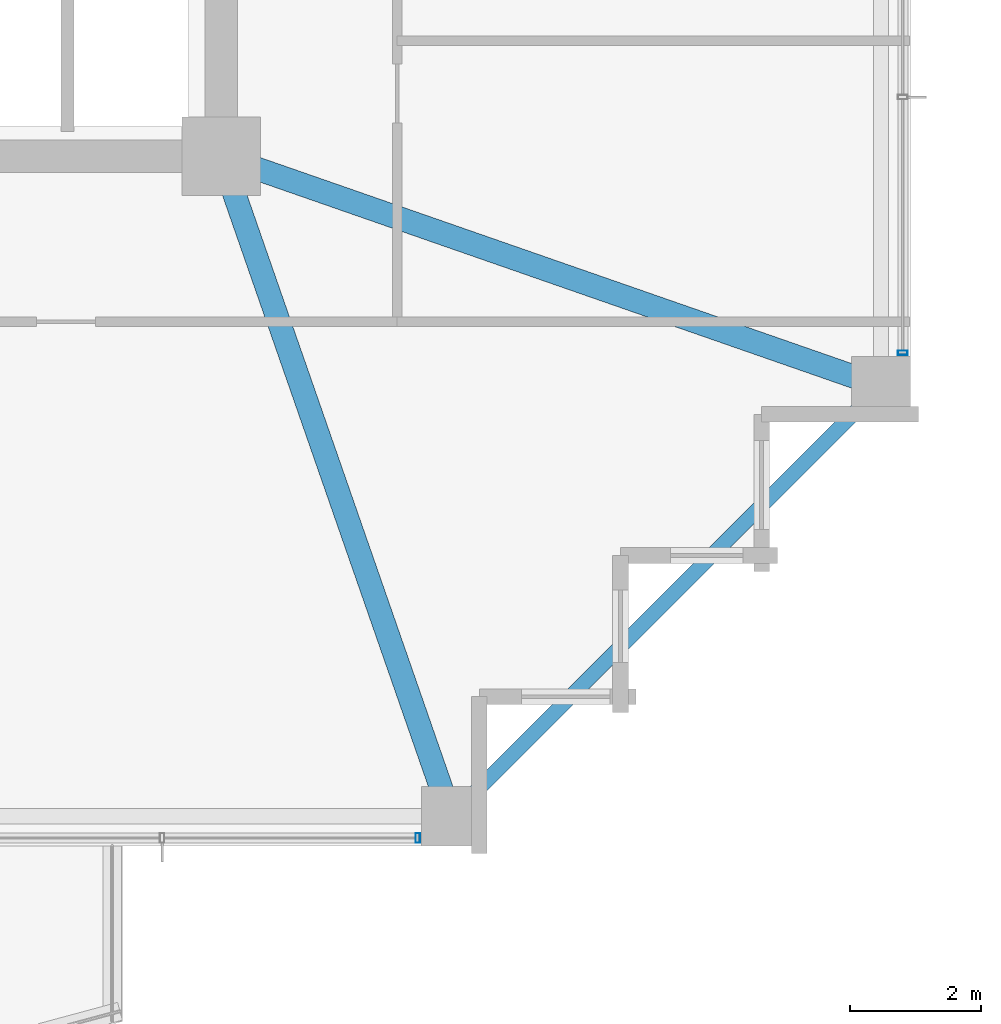
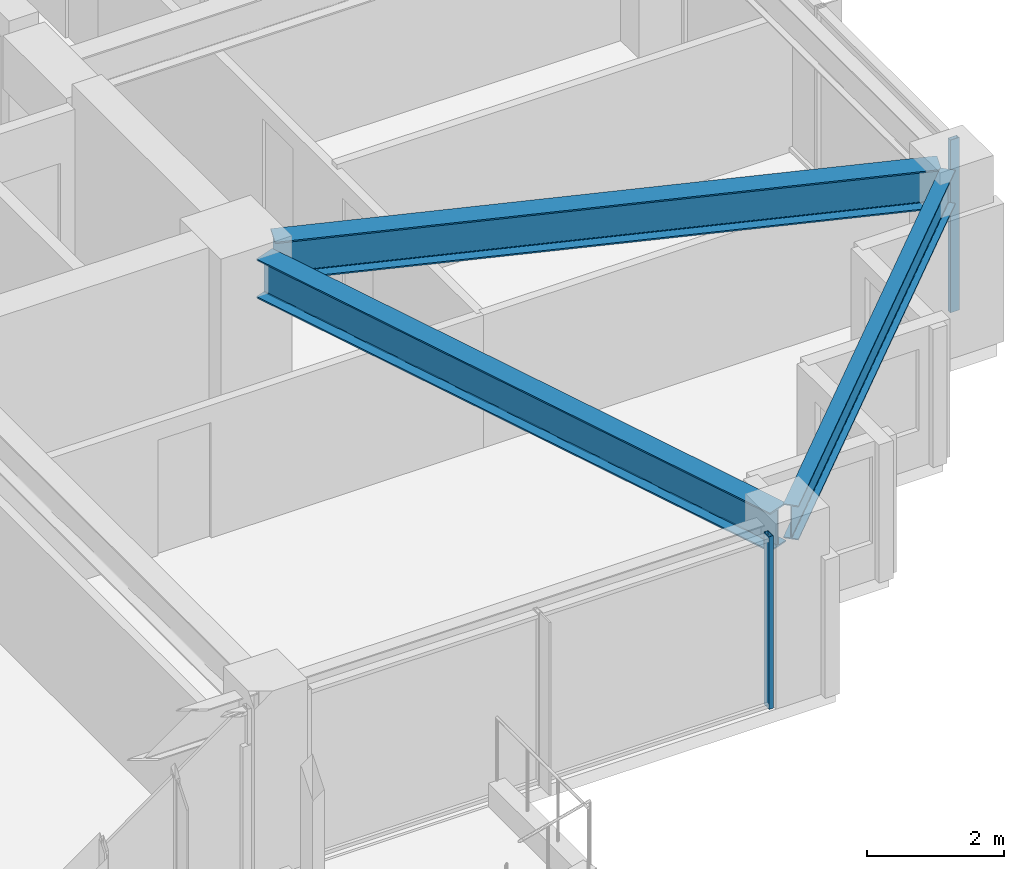
# One storey, part 12 of 37: 3 beams, 2 members, 2 elements without a shape of their own.
"""IFC4 building model written with IfcOpenShell, lengths in metres."""

from ifc_helpers import new_model, si_unit, direction, frame, origin, origin_2d, place, context, subcontext, project, spatial, hollow_rectangle, i_section, extrude, material, material_profile, profile_set, type_object, element, aggregate, save


model = new_model("IFC4")

# Units and contexts
model_context = context("Model", 3, precision=1e-05, world=origin(), true_north=direction((0.0, 1.0)))
body_context = subcontext(model_context, "Body", "Model", "MODEL_VIEW")
ifc_project = project(units=[si_unit("LENGTHUNIT", "METRE"), si_unit("AREAUNIT", "SQUARE_METRE"), si_unit("VOLUMEUNIT", "CUBIC_METRE"), si_unit("PLANEANGLEUNIT", "RADIAN"), si_unit("MASSUNIT", "GRAM", prefix="KILO")], contexts=[model_context])

# Site, building, storey
site_placement = place(None, origin())
site = spatial("IfcSite", under=ifc_project, at=site_placement, CompositionType="ELEMENT")
building_placement = place(site_placement, origin())
building = spatial("IfcBuilding", under=site, at=building_placement, Name="Kolvaren Belvedere", CompositionType="ELEMENT")
storey_placement = place(building_placement, frame((0.0, 0.0, 180.0)))
storey = spatial("IfcBuildingStorey", under=building, at=storey_placement, Name="L52", CompositionType="ELEMENT", Elevation=180.0)

# Beams
ifc_material_1 = material(Name="Structural steel ASTM A992 Grade 50", Category="steel")
ifc_material_profile_1 = material_profile(ifc_material_1, i_section(OverallWidth=0.35498046875, OverallDepth=0.696044921875, WebThickness=0.015380859375, FlangeThickness=0.02490234375, FilletRadius=0.02197265625, at=origin_2d()), Name="W27X146")
ifc_profile_set_1 = profile_set([ifc_material_profile_1], Name="Structural steel ASTM A992 Grade 50")
beam_type_1 = type_object("IfcBeamType", Name="BM-GIRD-W27X146", PredefinedType="BEAM", material=ifc_profile_set_1)
for number, where, z_axis, x_axis, name in (
    (1, (10.080810546875, -10.41943359375, 2.73193359375), (0.328894130701, -0.944366798861, 0.0), (0.944366798861, 0.328894130701, 0.0), "L52 Corner Core-to-Perimeter Girder CC2-S4"),
    (2, (10.41943359375, -10.080810546875, 2.73193359375), (0.944366798861, -0.328894130701, 0.0), (0.328894130701, 0.944366798861, 0.0), "L52 Corner Core-to-Perimeter Girder CC2-E1"),
):
    element("IfcBeam", number, at=place(storey_placement, frame(where, z_axis=z_axis, x_axis=x_axis)), inside=storey, type_object=beam_type_1, Name=name, PredefinedType="BEAM", context=body_context, shape_type="SweptSolid", body=[
        extrude(i_section(OverallWidth=0.35498046875, OverallDepth=0.696044921875, WebThickness=0.015380859375, FlangeThickness=0.02490234375, FilletRadius=0.02197265625, at=origin_2d()), origin(), (0.0, 0.0, 1.0), 9.912109375),
    ])
ifc_material_2 = material(Name="Structural steel ASTM A992 Grade 50", Category="steel")
ifc_material_profile_2 = material_profile(ifc_material_2, i_section(OverallWidth=0.22900390625, OverallDepth=0.612060546875, WebThickness=0.011962890625, FlangeThickness=0.01953125, FilletRadius=0.01806640625, at=origin_2d()), Name="W24X84")
ifc_profile_set_2 = profile_set([ifc_material_profile_2], Name="Structural steel ASTM A992 Grade 50")
beam_type_2 = type_object("IfcBeamType", Name="BM-SPAN-W24X84", PredefinedType="SPANDREL", material=ifc_profile_set_2)
beam_placement = place(storey_placement, frame((13.543212890625, -19.806884765625, 2.77392578125), z_axis=(0.707106781187, 0.707106781187, 0.0), x_axis=(-0.707106781187, 0.707106781187, 0.0)))
element("IfcBeam", 3, at=beam_placement, inside=storey, type_object=beam_type_2, Name="L52 Perimeter Spandrel S4-E1", PredefinedType="SPANDREL", context=body_context, shape_type="SweptSolid", body=[
    extrude(i_section(OverallWidth=0.22900390625, OverallDepth=0.612060546875, WebThickness=0.011962890625, FlangeThickness=0.01953125, FilletRadius=0.01806640625, at=origin_2d()), origin(), (0.0, 0.0, 1.0), 8.858154296875),
])

# Curtain wall, member
ifc_material_3 = material(Name="Anodised pale-metal aluminium AA 6063-T6", Category="aluminium")
curtain_wall_type = type_object("IfcCurtainWallType", Name="CW-Z5-HIGH", PredefinedType="NOTDEFINED", material=ifc_material_3)
curtain_wall_1_placement = place(storey_placement, origin())
curtain_wall_1 = element("IfcCurtainWall", 4, at=curtain_wall_1_placement, inside=storey, type_object=curtain_wall_type, Name="L52 Unitised Curtain Wall FCW-L52-S1-B1", PredefinedType="NOTDEFINED")
ifc_material_4 = material(Name="Anodised pale-metal aluminium AA 6063-T6", Category="aluminium")
ifc_material_profile_3 = material_profile(ifc_material_4, hollow_rectangle(XDim=0.070068359375, YDim=0.14990234375, WallThickness=0.004150390625, at=origin_2d()), Name="ALU-MUL-150X70")
ifc_profile_set_3 = profile_set([ifc_material_profile_3], Name="Anodised pale-metal aluminium AA 6063-T6")
member_type = type_object("IfcMemberType", Name="CW-MUL-150", PredefinedType="MULLION", material=ifc_profile_set_3)
member_1_placement = place(storey_placement, frame((12.89501953125, -20.280029296875, 0.0), z_axis=(0.0, 0.0, 1.0), x_axis=(1.0, 0.0, 0.0)))
member_1 = element("IfcMember", 5, at=member_1_placement, type_object=member_type, Name="FCW-L52-S1-B1 Unitised Mullion 1", PredefinedType="MULLION", context=body_context, shape_type="SweptSolid", body=[
    extrude(hollow_rectangle(XDim=0.070068359375, YDim=0.14990234375, WallThickness=0.004150390625, at=origin_2d()), origin(), (0.0, 0.0, 1.0), 3.080078125),
])
aggregate(curtain_wall_1, [member_1])

curtain_wall_2_placement = place(storey_placement, origin())
curtain_wall_2 = element("IfcCurtainWall", 6, at=curtain_wall_2_placement, inside=storey, type_object=curtain_wall_type, Name="L52 Unitised Curtain Wall FCW-L52-E-B3", PredefinedType="NOTDEFINED")
member_2_placement = place(storey_placement, frame((20.280029296875, -12.89501953125, 0.0), z_axis=(0.0, 0.0, 1.0), x_axis=(0.0, 1.0, 0.0)))
member_2 = element("IfcMember", 7, at=member_2_placement, type_object=member_type, Name="FCW-L52-E-B3 Unitised Mullion 3", PredefinedType="MULLION", context=body_context, shape_type="SweptSolid", body=[
    extrude(hollow_rectangle(XDim=0.070068359375, YDim=0.14990234375, WallThickness=0.004150390625, at=origin_2d()), origin(), (0.0, 0.0, 1.0), 3.080078125),
])
aggregate(curtain_wall_2, [member_2])

save(model, "model.ifc")
